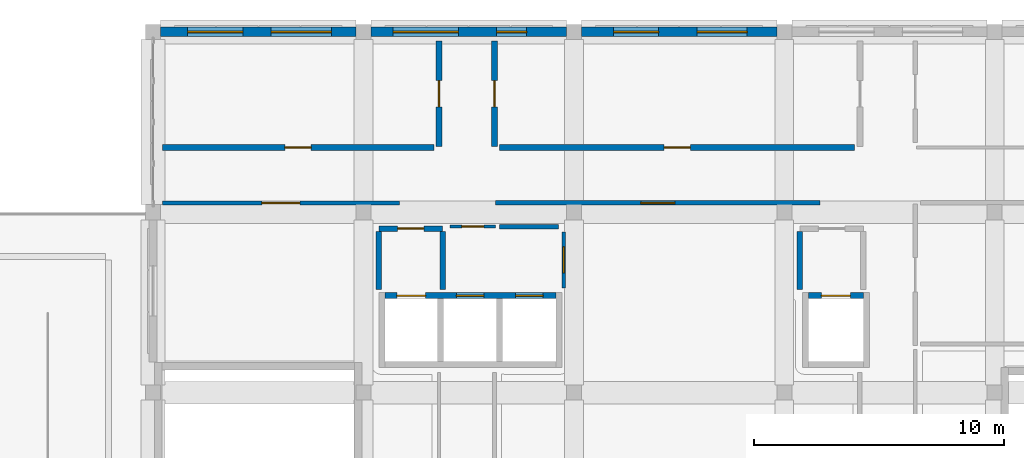
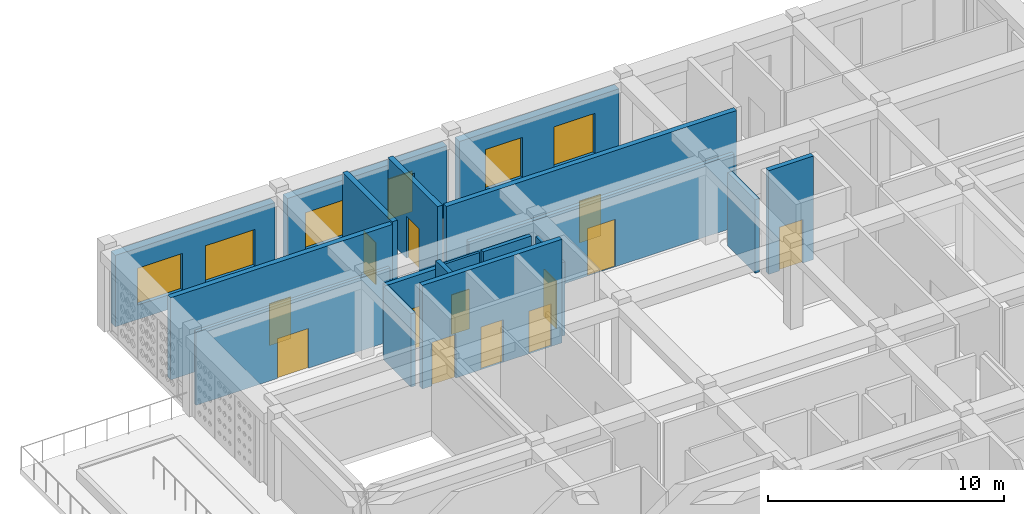
# One storey, part 15 of 28: 18 walls, 13 doors, 6 windows, 19 openings.
"""IFC4 building model written with IfcOpenShell, lengths in metres."""

from ifc_helpers import new_model, si_unit, derived_unit, direction, frame, frame_2d, origin, place, context, subcontext, project, spatial, rectangle, extrude, material, layer, layer_set, type_object, element, fill, save


model = new_model("IFC4")

# Units and contexts
model_context = context("Model", 3, precision=1e-05, world=origin(), true_north=direction((0.0, 1.0)))
body_context = subcontext(model_context, "Body", "Model", "MODEL_VIEW")
ifc_project = project(units=[si_unit("LENGTHUNIT", "METRE"), si_unit("AREAUNIT", "SQUARE_METRE"), si_unit("VOLUMEUNIT", "CUBIC_METRE"), si_unit("PLANEANGLEUNIT", "RADIAN"), si_unit("MASSUNIT", "GRAM", prefix="KILO"), derived_unit("THERMALTRANSMITTANCEUNIT", [(si_unit("POWERUNIT", "WATT"), 1), (si_unit("LENGTHUNIT", "METRE"), -2), (si_unit("THERMODYNAMICTEMPERATUREUNIT", "KELVIN"), -1)])], contexts=[model_context])

# Site, building, storey
site_placement = place(None, origin())
site = spatial("IfcSite", under=ifc_project, at=site_placement, CompositionType="ELEMENT")
building_placement = place(site_placement, origin())
building = spatial("IfcBuilding", under=site, at=building_placement, Name="Veybourne Emporium", CompositionType="ELEMENT")
storey_placement = place(building_placement, frame((0.0, 0.0, 32.10009765625)))
storey = spatial("IfcBuildingStorey", under=building, at=storey_placement, Name="L07", CompositionType="ELEMENT", Elevation=32.10009765625)

# Wall, openings, windows
ifc_material_1 = material(Name="Portland Limestone Ashlar", Category="masonry")
ifc_layer_1 = layer(ifc_material_1, 0.3798828125)
ifc_layer_set_1 = layer_set([ifc_layer_1], Name="Portland Limestone Ashlar")
wall_type_1 = type_object("IfcWallType", Name="ExtWall_EW-03", PredefinedType="SOLIDWALL", material=ifc_layer_set_1)
wall_1_placement = place(storey_placement, frame((8.699951171875, 50.39990234375, 0.0), z_axis=(0.0, 0.0, 1.0), x_axis=(1.0, 0.0, 0.0)))
wall_1 = element("IfcWall", 1, at=wall_1_placement, inside=storey, type_object=wall_type_1, Name="L07 Portland stone external wall 006", PredefinedType="SOLIDWALL", context=body_context, shape_type="SweptSolid", body=[
    extrude(rectangle(XDim=7.800048828125, YDim=0.3798828125, at=frame_2d((3.89990234375, 0.0))), origin(), (0.0, 0.0, 1.0), 3.68994140625),
])
opening_1_placement = place(wall_1_placement, frame((1.083984375, 0.0, 0.75)))
opening_1 = element("IfcOpeningElement", 2, at=opening_1_placement, cuts=wall_1, Name="Opening W-06", PredefinedType="OPENING", context=body_context, shape_type="SweptSolid", body=[
    extrude(rectangle(XDim=2.199951171875, YDim=1.89990234375, at=frame_2d((1.10009765625, 0.949951171875))), frame((0.0, 0.2099609375, 0.0), z_axis=(0.0, -1.0, 0.0), x_axis=(1.0, 0.0, 0.0)), (0.0, 0.0, 1.0), 0.419921875),
])
opening_2_placement = place(wall_1_placement, frame((4.416015625, 0.0, 0.75)))
opening_2 = element("IfcOpeningElement", 3, at=opening_2_placement, cuts=wall_1, Name="Opening W-07", PredefinedType="OPENING", context=body_context, shape_type="SweptSolid", body=[
    extrude(rectangle(XDim=2.39990234375, YDim=1.89990234375, at=frame_2d((1.199951171875, 0.949951171875))), frame((0.0, 0.2099609375, 0.0), z_axis=(0.0, -1.0, 0.0), x_axis=(1.0, 0.0, 0.0)), (0.0, 0.0, 1.0), 0.419921875),
])
ifc_material_2 = material(Name="Low-E Triple Glazing", Category="glass")
window_type_1 = type_object("IfcWindowType", Name="Win_W-06", PartitioningType="TRIPLE_PANEL_VERTICAL", PredefinedType="WINDOW", material=ifc_material_2)
window_1_placement = place(opening_1_placement, origin())
window_1 = element("IfcWindow", 4, at=window_1_placement, inside=storey, type_object=window_type_1, Name="L07 tripartite bronze casement window W-06 (6.1)", OverallHeight=1.89990234375, OverallWidth=2.199951171875, PartitioningType="TRIPLE_PANEL_VERTICAL", PredefinedType="WINDOW", context=body_context, shape_type="SweptSolid", body=[
    extrude(rectangle(XDim=2.199951171875, YDim=1.89990234375, at=frame_2d((1.10009765625, 0.949951171875))), frame((0.0, 0.030029296875, 0.0), z_axis=(0.0, -1.0, 0.0), x_axis=(1.0, 0.0, 0.0)), (0.0, 0.0, 1.0), 0.06005859375),
])
fill(opening_1, window_1)
window_type_2 = type_object("IfcWindowType", Name="Win_W-07", PartitioningType="TRIPLE_PANEL_VERTICAL", PredefinedType="WINDOW", material=ifc_material_2)
window_2_placement = place(opening_2_placement, origin())
window_2 = element("IfcWindow", 5, at=window_2_placement, inside=storey, type_object=window_type_2, Name="L07 tripartite bronze casement window W-07 (6.2)", OverallHeight=1.89990234375, OverallWidth=2.39990234375, PartitioningType="TRIPLE_PANEL_VERTICAL", PredefinedType="WINDOW", context=body_context, shape_type="SweptSolid", body=[
    extrude(rectangle(XDim=2.39990234375, YDim=1.89990234375, at=frame_2d((1.199951171875, 0.949951171875))), frame((0.0, 0.030029296875, 0.0), z_axis=(0.0, -1.0, 0.0), x_axis=(1.0, 0.0, 0.0)), (0.0, 0.0, 1.0), 0.06005859375),
])
fill(opening_2, window_2)

wall_2_placement = place(storey_placement, frame((17.10009765625, 50.39990234375, 0.0), z_axis=(0.0, 0.0, 1.0), x_axis=(1.0, 0.0, 0.0)))
wall_2 = element("IfcWall", 6, at=wall_2_placement, inside=storey, type_object=wall_type_1, Name="L07 Portland stone external wall 010", PredefinedType="SOLIDWALL", context=body_context, shape_type="SweptSolid", body=[
    extrude(rectangle(XDim=7.7998046875, YDim=0.3798828125, at=frame_2d((3.89990234375, 0.0))), origin(), (0.0, 0.0, 1.0), 3.68994140625),
])
opening_3_placement = place(wall_2_placement, frame((0.884033203125, 0.0, 0.75)))
opening_3 = element("IfcOpeningElement", 7, at=opening_3_placement, cuts=wall_2, Name="Opening W-08", PredefinedType="OPENING", context=body_context, shape_type="SweptSolid", body=[
    extrude(rectangle(XDim=2.60009765625, YDim=1.89990234375, at=frame_2d((1.300048828125, 0.949951171875))), frame((0.0, 0.2099609375, 0.0), z_axis=(0.0, -1.0, 0.0), x_axis=(1.0, 0.0, 0.0)), (0.0, 0.0, 1.0), 0.419921875),
])
opening_4_placement = place(wall_2_placement, frame((5.01611328125, 0.0, 0.75)))
opening_4 = element("IfcOpeningElement", 8, at=opening_4_placement, cuts=wall_2, Name="Opening W-09", PredefinedType="OPENING", context=body_context, shape_type="SweptSolid", body=[
    extrude(rectangle(XDim=1.199951171875, YDim=2.080078125, at=frame_2d((0.60009765625, 1.0400390625))), frame((0.0, 0.2099609375, 0.0), z_axis=(0.0, -1.0, 0.0), x_axis=(1.0, 0.0, 0.0)), (0.0, 0.0, 1.0), 0.419921875),
])
window_type_3 = type_object("IfcWindowType", Name="Win_W-08", PartitioningType="TRIPLE_PANEL_VERTICAL", PredefinedType="WINDOW", material=ifc_material_2)
window_3_placement = place(opening_3_placement, origin())
window_3 = element("IfcWindow", 9, at=window_3_placement, inside=storey, type_object=window_type_3, Name="L07 tripartite bronze casement window W-08 (10.1)", OverallHeight=1.89990234375, OverallWidth=2.60009765625, PartitioningType="TRIPLE_PANEL_VERTICAL", PredefinedType="WINDOW", context=body_context, shape_type="SweptSolid", body=[
    extrude(rectangle(XDim=2.60009765625, YDim=1.89990234375, at=frame_2d((1.300048828125, 0.949951171875))), frame((0.0, 0.030029296875, 0.0), z_axis=(0.0, -1.0, 0.0), x_axis=(1.0, 0.0, 0.0)), (0.0, 0.0, 1.0), 0.06005859375),
])
fill(opening_3, window_3)
window_type_4 = type_object("IfcWindowType", Name="Win_W-09", PartitioningType="SINGLE_PANEL", PredefinedType="WINDOW", material=ifc_material_2)
window_4_placement = place(opening_4_placement, origin())
window_4 = element("IfcWindow", 10, at=window_4_placement, inside=storey, type_object=window_type_4, Name="L07 tripartite bronze casement window W-09 (10.2)", OverallHeight=2.080078125, OverallWidth=1.199951171875, PartitioningType="SINGLE_PANEL", PredefinedType="WINDOW", context=body_context, shape_type="SweptSolid", body=[
    extrude(rectangle(XDim=1.199951171875, YDim=2.080078125, at=frame_2d((0.60009765625, 1.0400390625))), frame((0.0, 0.030029296875, 0.0), z_axis=(0.0, -1.0, 0.0), x_axis=(1.0, 0.0, 0.0)), (0.0, 0.0, 1.0), 0.06005859375),
])
fill(opening_4, window_4)

wall_3_placement = place(storey_placement, frame((25.5, 50.39990234375, 0.0), z_axis=(0.0, 0.0, 1.0), x_axis=(1.0, 0.0, 0.0)))
wall_3 = element("IfcWall", 11, at=wall_3_placement, inside=storey, type_object=wall_type_1, Name="L07 Portland stone external wall 013", PredefinedType="SOLIDWALL", context=body_context, shape_type="SweptSolid", body=[
    extrude(rectangle(XDim=7.800048828125, YDim=0.3798828125, at=frame_2d((3.89990234375, 0.0))), origin(), (0.0, 0.0, 1.0), 3.68994140625),
])
opening_5_placement = place(wall_3_placement, frame((1.283935546875, 0.0, 0.75)))
opening_5 = element("IfcOpeningElement", 12, at=opening_5_placement, cuts=wall_3, Name="Opening W-12", PredefinedType="OPENING", context=body_context, shape_type="SweptSolid", body=[
    extrude(rectangle(XDim=1.800048828125, YDim=2.080078125, at=frame_2d((0.89990234375, 1.0400390625))), frame((0.0, 0.2099609375, 0.0), z_axis=(0.0, -1.0, 0.0), x_axis=(1.0, 0.0, 0.0)), (0.0, 0.0, 1.0), 0.419921875),
])
opening_6_placement = place(wall_3_placement, frame((4.615966796875, 0.0, 0.75)))
opening_6 = element("IfcOpeningElement", 13, at=opening_6_placement, cuts=wall_3, Name="Opening W-13", PredefinedType="OPENING", context=body_context, shape_type="SweptSolid", body=[
    extrude(rectangle(XDim=2.0, YDim=2.080078125, at=frame_2d((1.0, 1.0400390625))), frame((0.0, 0.2099609375, 0.0), z_axis=(0.0, -1.0, 0.0), x_axis=(1.0, 0.0, 0.0)), (0.0, 0.0, 1.0), 0.419921875),
])
window_type_5 = type_object("IfcWindowType", Name="Win_W-12", PartitioningType="DOUBLE_PANEL_VERTICAL", PredefinedType="WINDOW", material=ifc_material_2)
window_5_placement = place(opening_5_placement, origin())
window_5 = element("IfcWindow", 14, at=window_5_placement, inside=storey, type_object=window_type_5, Name="L07 tripartite bronze casement window W-12 (13.1)", OverallHeight=2.080078125, OverallWidth=1.800048828125, PartitioningType="DOUBLE_PANEL_VERTICAL", PredefinedType="WINDOW", context=body_context, shape_type="SweptSolid", body=[
    extrude(rectangle(XDim=1.800048828125, YDim=2.080078125, at=frame_2d((0.89990234375, 1.0400390625))), frame((0.0, 0.030029296875, 0.0), z_axis=(0.0, -1.0, 0.0), x_axis=(1.0, 0.0, 0.0)), (0.0, 0.0, 1.0), 0.06005859375),
])
fill(opening_5, window_5)
window_type_6 = type_object("IfcWindowType", Name="Win_W-13", PartitioningType="TRIPLE_PANEL_VERTICAL", PredefinedType="WINDOW", material=ifc_material_2)
window_6_placement = place(opening_6_placement, origin())
window_6 = element("IfcWindow", 15, at=window_6_placement, inside=storey, type_object=window_type_6, Name="L07 tripartite bronze casement window W-13 (13.2)", OverallHeight=2.080078125, OverallWidth=2.0, PartitioningType="TRIPLE_PANEL_VERTICAL", PredefinedType="WINDOW", context=body_context, shape_type="SweptSolid", body=[
    extrude(rectangle(XDim=2.0, YDim=2.080078125, at=frame_2d((1.0, 1.0400390625))), frame((0.0, 0.030029296875, 0.0), z_axis=(0.0, -1.0, 0.0), x_axis=(1.0, 0.0, 0.0)), (0.0, 0.0, 1.0), 0.06005859375),
])
fill(opening_6, window_6)

# Wall, openings, doors
ifc_material_3 = material(Name="Concrete C40/50", Category="concrete")
ifc_layer_2 = layer(ifc_material_3, 0.239990234375)
ifc_layer_set_2 = layer_set([ifc_layer_2], Name="Concrete C40/50")
wall_type_2 = type_object("IfcWallType", Name="IntWall_CW-04", PredefinedType="SHEAR", material=ifc_layer_set_2)
wall_4_placement = place(storey_placement, frame((24.47998046875, 39.8701171875, 0.0), z_axis=(0.0, 0.0, 1.0), x_axis=(-1.0, 0.0, 0.0)))
wall_4 = element("IfcWall", 16, at=wall_4_placement, inside=storey, type_object=wall_type_2, Name="Lift core C2 north shaft wall (L07)", PredefinedType="SHEAR", context=body_context, shape_type="SweptSolid", body=[
    extrude(rectangle(XDim=6.820068359375, YDim=0.239990234375, at=frame_2d((3.41015625, 0.0))), origin(), (0.0, 0.0, 1.0), 5.349853515625),
])
opening_7_placement = place(wall_4_placement, frame((5.195068359375, 0.0, 0.0)))
opening_7 = element("IfcOpeningElement", 17, at=opening_7_placement, cuts=wall_4, Name="Opening LD-02", PredefinedType="OPENING", context=body_context, shape_type="SweptSolid", body=[
    extrude(rectangle(XDim=1.14990234375, YDim=2.25, at=frame_2d((0.574951171875, 1.125))), frame((0.0, 0.14013671875, 0.0), z_axis=(0.0, -1.0, 0.0), x_axis=(1.0, 0.0, 0.0)), (0.0, 0.0, 1.0), 0.280029296875),
])
opening_8_placement = place(wall_4_placement, frame((2.8701171875, 0.0, 0.0)))
opening_8 = element("IfcOpeningElement", 18, at=opening_8_placement, cuts=wall_4, Name="Opening LD-01", PredefinedType="OPENING", context=body_context, shape_type="SweptSolid", body=[
    extrude(rectangle(XDim=1.10009765625, YDim=2.199951171875, at=frame_2d((0.550048828125, 1.10009765625))), frame((0.0, 0.14013671875, 0.0), z_axis=(0.0, -1.0, 0.0), x_axis=(1.0, 0.0, 0.0)), (0.0, 0.0, 1.0), 0.280029296875),
])
opening_9_placement = place(wall_4_placement, frame((0.510009765625, 0.0, 0.0)))
opening_9 = element("IfcOpeningElement", 19, at=opening_9_placement, cuts=wall_4, Name="Opening LD-01", PredefinedType="OPENING", context=body_context, shape_type="SweptSolid", body=[
    extrude(rectangle(XDim=1.10009765625, YDim=2.199951171875, at=frame_2d((0.550048828125, 1.10009765625))), frame((0.0, 0.14013671875, 0.0), z_axis=(0.0, -1.0, 0.0), x_axis=(1.0, 0.0, 0.0)), (0.0, 0.0, 1.0), 0.280029296875),
])
ifc_material_4 = material(Name="Patinated Architectural Bronze", Category="bronze")
door_type_1 = type_object("IfcDoorType", Name="FireDoor_LD-01", OperationType="DOUBLE_DOOR_SLIDING", PredefinedType="DOOR", material=ifc_material_4)
door_1_placement = place(opening_8_placement, origin())
door_1 = element("IfcDoor", 20, at=door_1_placement, inside=storey, type_object=door_type_1, Name="Lift PL-03 sliding landing door (L07)", OperationType="DOUBLE_DOOR_SLIDING", OverallHeight=2.199951171875, OverallWidth=1.10009765625, PredefinedType="DOOR", context=body_context, shape_type="SweptSolid", body=[
    extrude(rectangle(XDim=1.10009765625, YDim=2.199951171875, at=frame_2d((0.550048828125, 1.10009765625))), frame((0.0, 0.02490234375, 0.0), z_axis=(0.0, -1.0, 0.0), x_axis=(1.0, 0.0, 0.0)), (0.0, 0.0, 1.0), 0.050048828125),
])
fill(opening_8, door_1)
door_2_placement = place(opening_9_placement, origin())
door_2 = element("IfcDoor", 21, at=door_2_placement, inside=storey, type_object=door_type_1, Name="Lift PL-04 sliding landing door (L07)", OperationType="DOUBLE_DOOR_SLIDING", OverallHeight=2.199951171875, OverallWidth=1.10009765625, PredefinedType="DOOR", context=body_context, shape_type="SweptSolid", body=[
    extrude(rectangle(XDim=1.10009765625, YDim=2.199951171875, at=frame_2d((0.550048828125, 1.10009765625))), frame((0.0, 0.02490234375, 0.0), z_axis=(0.0, -1.0, 0.0), x_axis=(1.0, 0.0, 0.0)), (0.0, 0.0, 1.0), 0.050048828125),
])
fill(opening_9, door_2)
door_type_2 = type_object("IfcDoorType", Name="FireDoor_LD-02", OperationType="SLIDING_TO_LEFT", PredefinedType="DOOR", material=ifc_material_4)
door_3_placement = place(opening_7_placement, origin())
door_3 = element("IfcDoor", 22, at=door_3_placement, inside=storey, type_object=door_type_2, Name="Lift FFL-02 sliding landing door (L07)", OperationType="SLIDING_TO_LEFT", OverallHeight=2.25, OverallWidth=1.14990234375, PredefinedType="DOOR", context=body_context, shape_type="SweptSolid", body=[
    extrude(rectangle(XDim=1.14990234375, YDim=2.25, at=frame_2d((0.574951171875, 1.125))), frame((0.0, 0.02490234375, 0.0), z_axis=(0.0, -1.0, 0.0), x_axis=(1.0, 0.0, 0.0)), (0.0, 0.0, 1.0), 0.050048828125),
])
fill(opening_7, door_3)

# Wall, opening, door
wall_5_placement = place(storey_placement, frame((36.760009765625, 39.8701171875, 0.0), z_axis=(0.0, 0.0, 1.0), x_axis=(-1.0, 0.0, 0.0)))
wall_5 = element("IfcWall", 23, at=wall_5_placement, inside=storey, type_object=wall_type_2, Name="Lift core C3 north shaft wall (L07)", PredefinedType="SHEAR", context=body_context, shape_type="SweptSolid", body=[
    extrude(rectangle(XDim=2.199951171875, YDim=0.239990234375, at=frame_2d((1.10009765625, 0.0))), origin(), (0.0, 0.0, 1.0), 5.349853515625),
])
opening_10_placement = place(wall_5_placement, frame((0.52490234375, 0.0, 0.0)))
opening_10 = element("IfcOpeningElement", 24, at=opening_10_placement, cuts=wall_5, Name="Opening LD-02", PredefinedType="OPENING", context=body_context, shape_type="SweptSolid", body=[
    extrude(rectangle(XDim=1.14990234375, YDim=2.25, at=frame_2d((0.574951171875, 1.125))), frame((0.0, 0.14013671875, 0.0), z_axis=(0.0, -1.0, 0.0), x_axis=(1.0, 0.0, 0.0)), (0.0, 0.0, 1.0), 0.280029296875),
])
door_4_placement = place(opening_10_placement, origin())
door_4 = element("IfcDoor", 25, at=door_4_placement, inside=storey, type_object=door_type_2, Name="Lift FFL-03 sliding landing door (L07)", OperationType="SLIDING_TO_LEFT", OverallHeight=2.25, OverallWidth=1.14990234375, PredefinedType="DOOR", context=body_context, shape_type="SweptSolid", body=[
    extrude(rectangle(XDim=1.14990234375, YDim=2.25, at=frame_2d((0.574951171875, 1.125))), frame((0.0, 0.02490234375, 0.0), z_axis=(0.0, -1.0, 0.0), x_axis=(1.0, 0.0, 0.0)), (0.0, 0.0, 1.0), 0.050048828125),
])
fill(opening_10, door_4)

ifc_material_5 = material(Name="Concrete C32/40", Category="concrete")
ifc_layer_3 = layer(ifc_material_5, 0.25)
ifc_layer_set_3 = layer_set([ifc_layer_3], Name="Concrete C32/40")
wall_type_3 = type_object("IfcWallType", Name="IntWall_FW-01", PredefinedType="SOLIDWALL", material=ifc_layer_set_3)
wall_6_placement = place(storey_placement, frame((22.239990234375, 45.780029296875, 0.0), z_axis=(0.0, 0.0, 1.0), x_axis=(1.0, 0.0, 0.0)))
wall_6 = element("IfcWall", 26, at=wall_6_placement, inside=storey, type_object=wall_type_3, Name="L07 interior partition FW-01 #003", PredefinedType="SOLIDWALL", context=body_context, shape_type="SweptSolid", body=[
    extrude(rectangle(XDim=14.169921875, YDim=0.25, at=frame_2d((7.0849609375, 0.0))), origin(), (0.0, 0.0, 1.0), 4.239990234375),
])
opening_11_placement = place(wall_6_placement, frame((6.56005859375, 0.0, 0.0)))
opening_11 = element("IfcOpeningElement", 27, at=opening_11_placement, cuts=wall_6, Name="Opening FD-02", PredefinedType="OPENING", context=body_context, shape_type="SweptSolid", body=[
    extrude(rectangle(XDim=1.050048828125, YDim=2.14990234375, at=frame_2d((0.52490234375, 1.074951171875))), frame((0.0, 0.14501953125, 0.0), z_axis=(0.0, -1.0, 0.0), x_axis=(1.0, 0.0, 0.0)), (0.0, 0.0, 1.0), 0.2900390625),
])
door_type_3 = type_object("IfcDoorType", Name="FireDoor_FD-02", OperationType="NOTDEFINED", PredefinedType="DOOR", material=ifc_material_4)
door_5_placement = place(opening_11_placement, origin())
door_5 = element("IfcDoor", 28, at=door_5_placement, inside=storey, type_object=door_type_3, Name="L07 interior door FD-02 (PART-L07-003)", OperationType="SINGLE_SWING_LEFT", OverallHeight=2.14990234375, OverallWidth=1.050048828125, PredefinedType="DOOR", context=body_context, shape_type="SweptSolid", body=[
    extrude(rectangle(XDim=1.050048828125, YDim=2.14990234375, at=frame_2d((0.52490234375, 1.074951171875))), frame((0.0, 0.02490234375, 0.0), z_axis=(0.0, -1.0, 0.0), x_axis=(1.0, 0.0, 0.0)), (0.0, 0.0, 1.0), 0.050048828125),
])
fill(opening_11, door_5)

wall_7_placement = place(storey_placement, frame((8.77001953125, 45.780029296875, 0.0), z_axis=(0.0, 0.0, 1.0), x_axis=(1.0, 0.0, 0.0)))
wall_7 = element("IfcWall", 29, at=wall_7_placement, inside=storey, type_object=wall_type_3, Name="L07 interior partition FW-01 #011", PredefinedType="SOLIDWALL", context=body_context, shape_type="SweptSolid", body=[
    extrude(rectangle(XDim=10.840087890625, YDim=0.25, at=frame_2d((5.419921875, 0.0))), origin(), (0.0, 0.0, 1.0), 4.239990234375),
])
opening_12_placement = place(wall_7_placement, frame((4.89501953125, 0.0, 0.0)))
opening_12 = element("IfcOpeningElement", 30, at=opening_12_placement, cuts=wall_7, Name="Opening FD-02", PredefinedType="OPENING", context=body_context, shape_type="SweptSolid", body=[
    extrude(rectangle(XDim=1.050048828125, YDim=2.14990234375, at=frame_2d((0.52490234375, 1.074951171875))), frame((0.0, 0.14501953125, 0.0), z_axis=(0.0, -1.0, 0.0), x_axis=(1.0, 0.0, 0.0)), (0.0, 0.0, 1.0), 0.2900390625),
])
door_6_placement = place(opening_12_placement, origin())
door_6 = element("IfcDoor", 31, at=door_6_placement, inside=storey, type_object=door_type_3, Name="L07 interior door FD-02 (PART-L07-011)", OperationType="SINGLE_SWING_LEFT", OverallHeight=2.14990234375, OverallWidth=1.050048828125, PredefinedType="DOOR", context=body_context, shape_type="SweptSolid", body=[
    extrude(rectangle(XDim=1.050048828125, YDim=2.14990234375, at=frame_2d((0.52490234375, 1.074951171875))), frame((0.0, 0.02490234375, 0.0), z_axis=(0.0, -1.0, 0.0), x_axis=(1.0, 0.0, 0.0)), (0.0, 0.0, 1.0), 0.050048828125),
])
fill(opening_12, door_6)

wall_8_placement = place(storey_placement, frame((19.820068359375, 45.830078125, 0.0), z_axis=(0.0, 0.0, 1.0), x_axis=(0.0, 1.0, 0.0)))
wall_8 = element("IfcWall", 32, at=wall_8_placement, inside=storey, type_object=wall_type_3, Name="L07 interior partition FW-01 #022", PredefinedType="SOLIDWALL", context=body_context, shape_type="SweptSolid", body=[
    extrude(rectangle(XDim=4.199951171875, YDim=0.25, at=frame_2d((2.10009765625, 0.0))), origin(), (0.0, 0.0, 1.0), 4.239990234375),
])
opening_13_placement = place(wall_8_placement, frame((1.574951171875, 0.0, 0.0)))
opening_13 = element("IfcOpeningElement", 33, at=opening_13_placement, cuts=wall_8, Name="Opening FD-02", PredefinedType="OPENING", context=body_context, shape_type="SweptSolid", body=[
    extrude(rectangle(XDim=1.050048828125, YDim=2.14990234375, at=frame_2d((0.52490234375, 1.074951171875))), frame((0.0, 0.14501953125, 0.0), z_axis=(0.0, -1.0, 0.0), x_axis=(1.0, 0.0, 0.0)), (0.0, 0.0, 1.0), 0.2900390625),
])
door_7_placement = place(opening_13_placement, origin())
door_7 = element("IfcDoor", 34, at=door_7_placement, inside=storey, type_object=door_type_3, Name="L07 interior door FD-02 (PART-L07-022)", OperationType="SINGLE_SWING_RIGHT", OverallHeight=2.14990234375, OverallWidth=1.050048828125, PredefinedType="DOOR", context=body_context, shape_type="SweptSolid", body=[
    extrude(rectangle(XDim=1.050048828125, YDim=2.14990234375, at=frame_2d((0.52490234375, 1.074951171875))), frame((0.0, 0.02490234375, 0.0), z_axis=(0.0, -1.0, 0.0), x_axis=(1.0, 0.0, 0.0)), (0.0, 0.0, 1.0), 0.050048828125),
])
fill(opening_13, door_7)

wall_9_placement = place(storey_placement, frame((22.030029296875, 45.830078125, 0.0), z_axis=(0.0, 0.0, 1.0), x_axis=(0.0, 1.0, 0.0)))
wall_9 = element("IfcWall", 35, at=wall_9_placement, inside=storey, type_object=wall_type_3, Name="L07 interior partition FW-01 #024", PredefinedType="SOLIDWALL", context=body_context, shape_type="SweptSolid", body=[
    extrude(rectangle(XDim=4.199951171875, YDim=0.25, at=frame_2d((2.10009765625, 0.0))), origin(), (0.0, 0.0, 1.0), 4.239990234375),
])
opening_14_placement = place(wall_9_placement, frame((1.574951171875, 0.0, 0.0)))
opening_14 = element("IfcOpeningElement", 36, at=opening_14_placement, cuts=wall_9, Name="Opening FD-02", PredefinedType="OPENING", context=body_context, shape_type="SweptSolid", body=[
    extrude(rectangle(XDim=1.050048828125, YDim=2.14990234375, at=frame_2d((0.52490234375, 1.074951171875))), frame((0.0, 0.14501953125, 0.0), z_axis=(0.0, -1.0, 0.0), x_axis=(1.0, 0.0, 0.0)), (0.0, 0.0, 1.0), 0.2900390625),
])
door_8_placement = place(opening_14_placement, origin())
door_8 = element("IfcDoor", 37, at=door_8_placement, inside=storey, type_object=door_type_3, Name="L07 interior door FD-02 (PART-L07-024)", OperationType="SINGLE_SWING_RIGHT", OverallHeight=2.14990234375, OverallWidth=1.050048828125, PredefinedType="DOOR", context=body_context, shape_type="SweptSolid", body=[
    extrude(rectangle(XDim=1.050048828125, YDim=2.14990234375, at=frame_2d((0.52490234375, 1.074951171875))), frame((0.0, 0.02490234375, 0.0), z_axis=(0.0, -1.0, 0.0), x_axis=(1.0, 0.0, 0.0)), (0.0, 0.0, 1.0), 0.050048828125),
])
fill(opening_14, door_8)

ifc_layer_4 = layer(ifc_material_5, 0.219970703125)
ifc_layer_set_4 = layer_set([ifc_layer_4], Name="Concrete C32/40")
wall_type_4 = type_object("IfcWallType", Name="IntWall_FW-02", PredefinedType="SOLIDWALL", material=ifc_layer_set_4)
wall_10_placement = place(storey_placement, frame((17.419921875, 42.550048828125, 0.0), z_axis=(0.0, 0.0, 1.0), x_axis=(1.0, 0.0, 0.0)))
wall_10 = element("IfcWall", 38, at=wall_10_placement, inside=storey, type_object=wall_type_4, Name="Firefighting lobby C2 fire wall N (L07)", PredefinedType="SOLIDWALL", context=body_context, shape_type="SweptSolid", body=[
    extrude(rectangle(XDim=2.5400390625, YDim=0.219970703125, at=frame_2d((1.27001953125, 0.0))), origin(), (0.0, 0.0, 1.0), 3.789794921875),
])
opening_15_placement = place(wall_10_placement, frame((0.7451171875, 0.0, 0.0)))
opening_15 = element("IfcOpeningElement", 39, at=opening_15_placement, cuts=wall_10, Name="Opening FD-02", PredefinedType="OPENING", context=body_context, shape_type="SweptSolid", body=[
    extrude(rectangle(XDim=1.050048828125, YDim=2.14990234375, at=frame_2d((0.52490234375, 1.074951171875))), frame((0.0, 0.1298828125, 0.0), z_axis=(0.0, -1.0, 0.0), x_axis=(1.0, 0.0, 0.0)), (0.0, 0.0, 1.0), 0.260009765625),
])
door_9_placement = place(opening_15_placement, origin())
door_9 = element("IfcDoor", 40, at=door_9_placement, inside=storey, type_object=door_type_3, Name="Firefighting lobby C2 FD60S door N (L07)", OperationType="SINGLE_SWING_LEFT", OverallHeight=2.14990234375, OverallWidth=1.050048828125, PredefinedType="DOOR", context=body_context, shape_type="SweptSolid", body=[
    extrude(rectangle(XDim=1.050048828125, YDim=2.14990234375, at=frame_2d((0.52490234375, 1.074951171875))), frame((0.0, 0.02490234375, 0.0), z_axis=(0.0, -1.0, 0.0), x_axis=(1.0, 0.0, 0.0)), (0.0, 0.0, 1.0), 0.050048828125),
])
fill(opening_15, door_9)

# Walls
wall_11_placement = place(storey_placement, frame((17.419921875, 40.110107421875, 0.0), z_axis=(0.0, 0.0, 1.0), x_axis=(0.0, 1.0, 0.0)))
element("IfcWall", 41, at=wall_11_placement, inside=storey, type_object=wall_type_4, Name="Firefighting lobby C2 fire wall W (L07)", PredefinedType="SOLIDWALL", context=body_context, shape_type="SweptSolid", body=[
    extrude(rectangle(XDim=2.31982421875, YDim=0.219970703125, at=frame_2d((1.159912109375, 0.0))), origin(), (0.0, 0.0, 1.0), 3.789794921875),
])
wall_12_placement = place(storey_placement, frame((19.9599609375, 40.110107421875, 0.0), z_axis=(0.0, 0.0, 1.0), x_axis=(0.0, 1.0, 0.0)))
element("IfcWall", 42, at=wall_12_placement, inside=storey, type_object=wall_type_4, Name="Firefighting lobby C2 fire wall E (L07)", PredefinedType="SOLIDWALL", context=body_context, shape_type="SweptSolid", body=[
    extrude(rectangle(XDim=2.31982421875, YDim=0.219970703125, at=frame_2d((1.159912109375, 0.0))), origin(), (0.0, 0.0, 1.0), 4.239990234375),
])
wall_13_placement = place(storey_placement, frame((34.219970703125, 40.110107421875, 0.0), z_axis=(0.0, 0.0, 1.0), x_axis=(0.0, 1.0, 0.0)))
element("IfcWall", 43, at=wall_13_placement, inside=storey, type_object=wall_type_4, Name="Firefighting lobby C3 fire wall W (L07)", PredefinedType="SOLIDWALL", context=body_context, shape_type="SweptSolid", body=[
    extrude(rectangle(XDim=2.31982421875, YDim=0.219970703125, at=frame_2d((1.159912109375, 0.0))), origin(), (0.0, 0.0, 1.0), 3.789794921875),
])

# Wall, opening, door
ifc_material_6 = material(Name="Gypsum Acoustic Board", Category="gypsum")
ifc_layer_5 = layer(ifc_material_6, 0.179931640625)
ifc_layer_set_5 = layer_set([ifc_layer_5], Name="Gypsum Acoustic Board")
wall_type_5 = type_object("IfcWallType", Name="IntWall_IW-01", PredefinedType="PARTITIONING", material=ifc_layer_set_5)
wall_14_placement = place(storey_placement, frame((22.080078125, 43.570068359375, 0.0), z_axis=(0.0, 0.0, 1.0), x_axis=(1.0, 0.0, 0.0)))
wall_14 = element("IfcWall", 44, at=wall_14_placement, inside=storey, type_object=wall_type_5, Name="L07 interior partition IW-01 #001", PredefinedType="PARTITIONING", context=body_context, shape_type="SweptSolid", body=[
    extrude(rectangle(XDim=12.9501953125, YDim=0.179931640625, at=frame_2d((6.47509765625, 0.0))), origin(), (0.0, 0.0, 1.0), 3.789794921875),
])
opening_16_placement = place(wall_14_placement, frame((5.795166015625, 0.0, 0.0)))
opening_16 = element("IfcOpeningElement", 45, at=opening_16_placement, cuts=wall_14, Name="Opening D-34", PredefinedType="OPENING", context=body_context, shape_type="SweptSolid", body=[
    extrude(rectangle(XDim=1.360107421875, YDim=2.449951171875, at=frame_2d((0.68017578125, 1.22509765625))), frame((0.0, 0.10986328125, 0.0), z_axis=(0.0, -1.0, 0.0), x_axis=(1.0, 0.0, 0.0)), (0.0, 0.0, 1.0), 0.219970703125),
])
ifc_material_7 = material(Name="European Oak Veneer and Bronze", Category="wood")
door_type_4 = type_object("IfcDoorType", Name="IntDoor_D-34", OperationType="NOTDEFINED", PredefinedType="DOOR", material=ifc_material_7)
door_10_placement = place(opening_16_placement, origin())
door_10 = element("IfcDoor", 46, at=door_10_placement, inside=storey, type_object=door_type_4, Name="L07 interior door D-34 (PART-L07-001)", OperationType="SINGLE_SWING_LEFT", OverallHeight=2.449951171875, OverallWidth=1.360107421875, PredefinedType="DOOR", context=body_context, shape_type="SweptSolid", body=[
    extrude(rectangle(XDim=1.360107421875, YDim=2.449951171875, at=frame_2d((0.68017578125, 1.22509765625))), frame((0.0, 0.02490234375, 0.0), z_axis=(0.0, -1.0, 0.0), x_axis=(1.0, 0.0, 0.0)), (0.0, 0.0, 1.0), 0.050048828125),
])
fill(opening_16, door_10)

# Wall
wall_15_placement = place(storey_placement, frame((22.239990234375, 42.6298828125, 0.0), z_axis=(0.0, 0.0, 1.0), x_axis=(1.0, 0.0, 0.0)))
element("IfcWall", 47, at=wall_15_placement, inside=storey, type_object=wall_type_5, Name="L07 interior partition IW-01 #034", PredefinedType="PARTITIONING", context=body_context, shape_type="SweptSolid", body=[
    extrude(rectangle(XDim=2.35009765625, YDim=0.179931640625, at=frame_2d((1.175048828125, 0.0))), origin(), (0.0, 0.0, 1.0), 3.789794921875),
])

# Wall, opening, door
ifc_layer_6 = layer(ifc_material_6, 0.14990234375)
ifc_layer_set_6 = layer_set([ifc_layer_6], Name="Gypsum Acoustic Board")
wall_type_6 = type_object("IfcWallType", Name="IntWall_IW-02", PredefinedType="PARTITIONING", material=ifc_layer_set_6)
wall_16_placement = place(storey_placement, frame((8.77001953125, 43.570068359375, 0.0), z_axis=(0.0, 0.0, 1.0), x_axis=(1.0, 0.0, 0.0)))
wall_16 = element("IfcWall", 48, at=wall_16_placement, inside=storey, type_object=wall_type_6, Name="L07 interior partition IW-02 #008", PredefinedType="PARTITIONING", context=body_context, shape_type="SweptSolid", body=[
    extrude(rectangle(XDim=9.460205078125, YDim=0.14990234375, at=frame_2d((4.72998046875, 0.0))), origin(), (0.0, 0.0, 1.0), 3.789794921875),
])
opening_17_placement = place(wall_16_placement, frame((3.97021484375, 0.0, 0.0)))
opening_17 = element("IfcOpeningElement", 49, at=opening_17_placement, cuts=wall_16, Name="Opening D-05", PredefinedType="OPENING", context=body_context, shape_type="SweptSolid", body=[
    extrude(rectangle(XDim=1.52001953125, YDim=2.050048828125, at=frame_2d((0.760009765625, 1.02490234375))), frame((0.0, 0.094970703125, 0.0), z_axis=(0.0, -1.0, 0.0), x_axis=(1.0, 0.0, 0.0)), (0.0, 0.0, 1.0), 0.18994140625),
])
door_type_5 = type_object("IfcDoorType", Name="IntDoor_D-05", OperationType="NOTDEFINED", PredefinedType="DOOR", material=ifc_material_7)
door_11_placement = place(opening_17_placement, origin())
door_11 = element("IfcDoor", 50, at=door_11_placement, inside=storey, type_object=door_type_5, Name="L07 interior door D-05 (PART-L07-008)", OperationType="SINGLE_SWING_LEFT", OverallHeight=2.050048828125, OverallWidth=1.52001953125, PredefinedType="DOOR", context=body_context, shape_type="SweptSolid", body=[
    extrude(rectangle(XDim=1.52001953125, YDim=2.050048828125, at=frame_2d((0.760009765625, 1.02490234375))), frame((0.0, 0.02490234375, 0.0), z_axis=(0.0, -1.0, 0.0), x_axis=(1.0, 0.0, 0.0)), (0.0, 0.0, 1.0), 0.050048828125),
])
fill(opening_17, door_11)

wall_17_placement = place(storey_placement, frame((24.800048828125, 40.177978515625, 0.0), z_axis=(0.0, 0.0, 1.0), x_axis=(0.0, 1.0, 0.0)))
wall_17 = element("IfcWall", 51, at=wall_17_placement, inside=storey, type_object=wall_type_6, Name="L07 interior partition IW-02 #035", PredefinedType="PARTITIONING", context=body_context, shape_type="SweptSolid", body=[
    extrude(rectangle(XDim=2.241943359375, YDim=0.14990234375, at=frame_2d((1.12109375, 0.0))), origin(), (0.0, 0.0, 1.0), 3.789794921875),
])
opening_18_placement = place(wall_17_placement, frame((0.60107421875, 0.0, 0.0)))
opening_18 = element("IfcOpeningElement", 52, at=opening_18_placement, cuts=wall_17, Name="Opening D-32", PredefinedType="OPENING", context=body_context, shape_type="SweptSolid", body=[
    extrude(rectangle(XDim=1.0400390625, YDim=2.449951171875, at=frame_2d((0.52001953125, 1.22509765625))), frame((0.0, 0.094970703125, 0.0), z_axis=(0.0, -1.0, 0.0), x_axis=(1.0, 0.0, 0.0)), (0.0, 0.0, 1.0), 0.18994140625),
])
door_type_6 = type_object("IfcDoorType", Name="IntDoor_D-32", OperationType="NOTDEFINED", PredefinedType="DOOR", material=ifc_material_7)
door_12_placement = place(opening_18_placement, origin())
door_12 = element("IfcDoor", 53, at=door_12_placement, inside=storey, type_object=door_type_6, Name="L07 interior door D-32 (PART-L07-035)", OperationType="SINGLE_SWING_RIGHT", OverallHeight=2.449951171875, OverallWidth=1.0400390625, PredefinedType="DOOR", context=body_context, shape_type="SweptSolid", body=[
    extrude(rectangle(XDim=1.0400390625, YDim=2.449951171875, at=frame_2d((0.52001953125, 1.22509765625))), frame((0.0, 0.02490234375, 0.0), z_axis=(0.0, -1.0, 0.0), x_axis=(1.0, 0.0, 0.0)), (0.0, 0.0, 1.0), 0.050048828125),
])
fill(opening_18, door_12)

ifc_layer_7 = layer(ifc_material_6, 0.1201171875)
ifc_layer_set_7 = layer_set([ifc_layer_7], Name="Gypsum Acoustic Board")
wall_type_7 = type_object("IfcWallType", Name="IntWall_IW-03", PredefinedType="PARTITIONING", material=ifc_layer_set_7)
wall_18_placement = place(storey_placement, frame((20.25, 42.6298828125, 0.0), z_axis=(0.0, 0.0, 1.0), x_axis=(1.0, 0.0, 0.0)))
wall_18 = element("IfcWall", 54, at=wall_18_placement, inside=storey, type_object=wall_type_7, Name="L07 interior partition IW-03 #045", PredefinedType="PARTITIONING", context=body_context, shape_type="SweptSolid", body=[
    extrude(rectangle(XDim=1.830078125, YDim=0.1201171875, at=frame_2d((0.9150390625, 0.0))), origin(), (0.0, 0.0, 1.0), 3.789794921875),
])
opening_19_placement = place(wall_18_placement, frame((0.47509765625, 0.0, 0.0)))
opening_19 = element("IfcOpeningElement", 55, at=opening_19_placement, cuts=wall_18, Name="Opening D-01", PredefinedType="OPENING", context=body_context, shape_type="SweptSolid", body=[
    extrude(rectangle(XDim=0.8798828125, YDim=2.050048828125, at=frame_2d((0.43994140625, 1.02490234375))), frame((0.0, 0.080078125, 0.0), z_axis=(0.0, -1.0, 0.0), x_axis=(1.0, 0.0, 0.0)), (0.0, 0.0, 1.0), 0.16015625),
])
door_type_7 = type_object("IfcDoorType", Name="IntDoor_D-01", OperationType="NOTDEFINED", PredefinedType="DOOR", material=ifc_material_7)
door_13_placement = place(opening_19_placement, origin())
door_13 = element("IfcDoor", 56, at=door_13_placement, inside=storey, type_object=door_type_7, Name="L07 interior door D-01 (PART-L07-045)", OperationType="SINGLE_SWING_RIGHT", OverallHeight=2.050048828125, OverallWidth=0.8798828125, PredefinedType="DOOR", context=body_context, shape_type="SweptSolid", body=[
    extrude(rectangle(XDim=0.8798828125, YDim=2.050048828125, at=frame_2d((0.43994140625, 1.02490234375))), frame((0.0, 0.02490234375, 0.0), z_axis=(0.0, -1.0, 0.0), x_axis=(1.0, 0.0, 0.0)), (0.0, 0.0, 1.0), 0.050048828125),
])
fill(opening_19, door_13)

save(model, "model.ifc")
